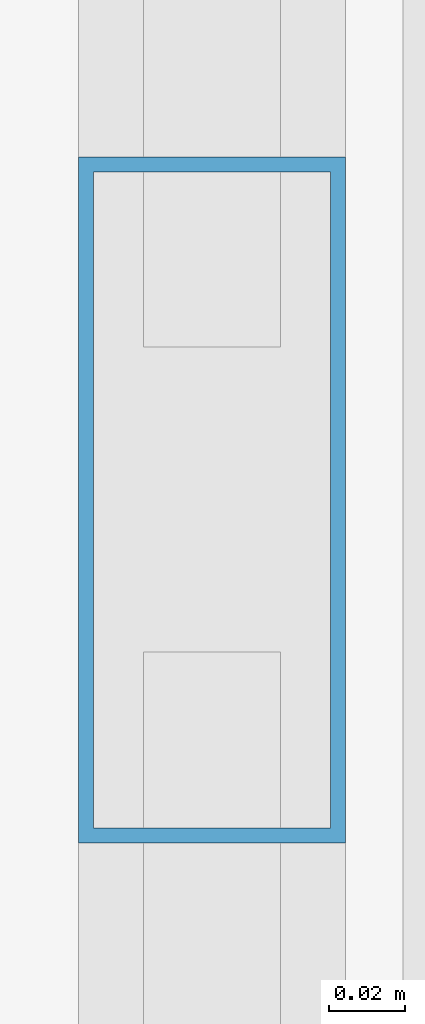
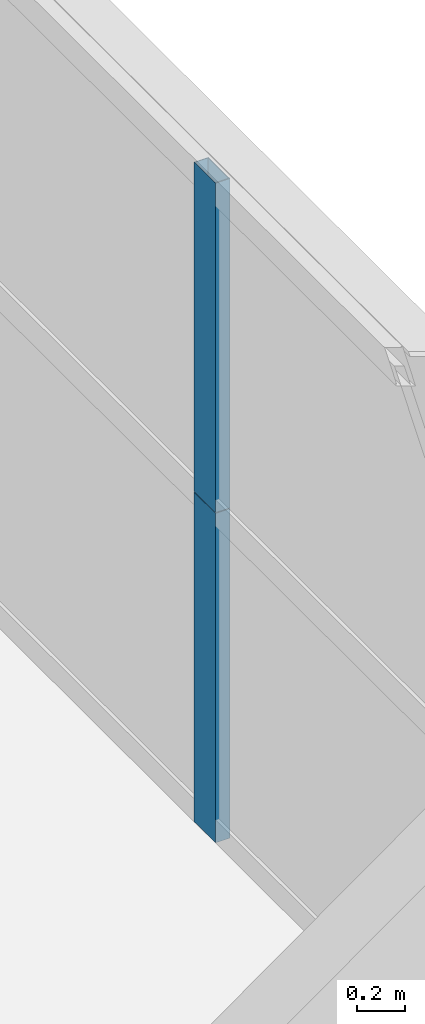
# One storey, part 34 of 46: 2 members, 1 element without a shape of its own.
"""IFC4 building model written with IfcOpenShell, lengths in metres."""

from ifc_helpers import new_model, si_unit, direction, frame, origin, origin_2d, place, context, subcontext, project, spatial, hollow_rectangle, extrude, source, transform, mapped, material, layer, layer_set, material_profile, profile_set, type_object, element, aggregate, save


model = new_model("IFC4")

# Units and contexts
model_context = context("Model", 3, precision=1e-05, world=origin(), true_north=direction((0.0, 1.0)))
body_context = subcontext(model_context, "Body", "Model", "MODEL_VIEW")
ifc_project = project(units=[si_unit("LENGTHUNIT", "METRE"), si_unit("AREAUNIT", "SQUARE_METRE"), si_unit("VOLUMEUNIT", "CUBIC_METRE"), si_unit("PLANEANGLEUNIT", "RADIAN"), si_unit("MASSUNIT", "GRAM", prefix="KILO"), si_unit("THERMODYNAMICTEMPERATUREUNIT", "KELVIN"), si_unit("POWERUNIT", "WATT")], contexts=[model_context])

# Site, building, storey
site_placement = place(None, origin())
site = spatial("IfcSite", under=ifc_project, at=site_placement, CompositionType="ELEMENT")
building_placement = place(site_placement, origin())
building = spatial("IfcBuilding", under=site, at=building_placement, Name="Yuzanri Waterfront Tower", CompositionType="ELEMENT")
storey_placement = place(building_placement, frame((0.0, 0.0, 56.800048828125)))
storey = spatial("IfcBuildingStorey", under=building, at=storey_placement, Name="L14", CompositionType="ELEMENT", Elevation=56.800048828125)

# Curtain wall, members
ifc_material_1 = material(Name="Anodized Architectural Bronze", Category="metal")
ifc_layer = layer(ifc_material_1, 0.159912109375)
ifc_layer_set = layer_set([ifc_layer], Name="Anodized Architectural Bronze")
curtain_wall_type = type_object("IfcCurtainWallType", Name="Anodized Bronze Hotel Lower-Tier Recessed Unitized Curtain Wall 8100", PredefinedType="NOTDEFINED", material=ifc_layer_set)
curtain_wall_placement = place(storey_placement, origin())
curtain_wall = element("IfcCurtainWall", 1, at=curtain_wall_placement, inside=storey, type_object=curtain_wall_type, Name="L14 Curtain Wall CW-L14-ER", PredefinedType="NOTDEFINED")
ifc_material_2 = material(Name="Anodized Architectural Bronze", Category="metal")
ifc_material_profile = material_profile(ifc_material_2, hollow_rectangle(XDim=0.070068359375, YDim=0.179931640625, WallThickness=0.00390625, at=origin_2d()), Name="CWM 70x180")
ifc_profile_set = profile_set([ifc_material_profile], Name="Anodized Architectural Bronze")
member_type = type_object("IfcMemberType", Name="Anodized Bronze Standard Curtain-Wall Mullion 70x180", PredefinedType="MULLION", material=ifc_profile_set)
shared_shape = source(origin(), body_context, "Body", "SweptSolid", [
    extrude(hollow_rectangle(XDim=0.070068359375, YDim=0.179931640625, WallThickness=0.00390625, at=origin_2d()), origin(), (0.0, 0.0, 1.0), 1.68798828125),
])
member_1_placement = place(storey_placement, frame((61.949951171875, 34.89990234375, 0.0), z_axis=(0.0, 0.0, 1.0), x_axis=(1.0, 0.0, 0.0)))
member_1 = element("IfcMember", 2, at=member_1_placement, type_object=member_type, Name="CW-L14-ER Lower Mullion 01", PredefinedType="MULLION", context=body_context, shape_type="MappedRepresentation", body=[
    mapped(shared_shape, transform((0.0, 0.0, 0.0), scale=1.0)),
])
member_2_placement = place(storey_placement, frame((61.949951171875, 34.89990234375, 1.69189453125), z_axis=(0.0, 0.0, 1.0), x_axis=(1.0, 0.0, 0.0)))
member_2 = element("IfcMember", 3, at=member_2_placement, type_object=member_type, Name="CW-L14-ER Upper Mullion 01", PredefinedType="MULLION", context=body_context, shape_type="MappedRepresentation", body=[
    mapped(shared_shape, transform((0.0, 0.0, 0.0), scale=1.0)),
])
aggregate(curtain_wall, [member_1, member_2])

save(model, "model.ifc")
